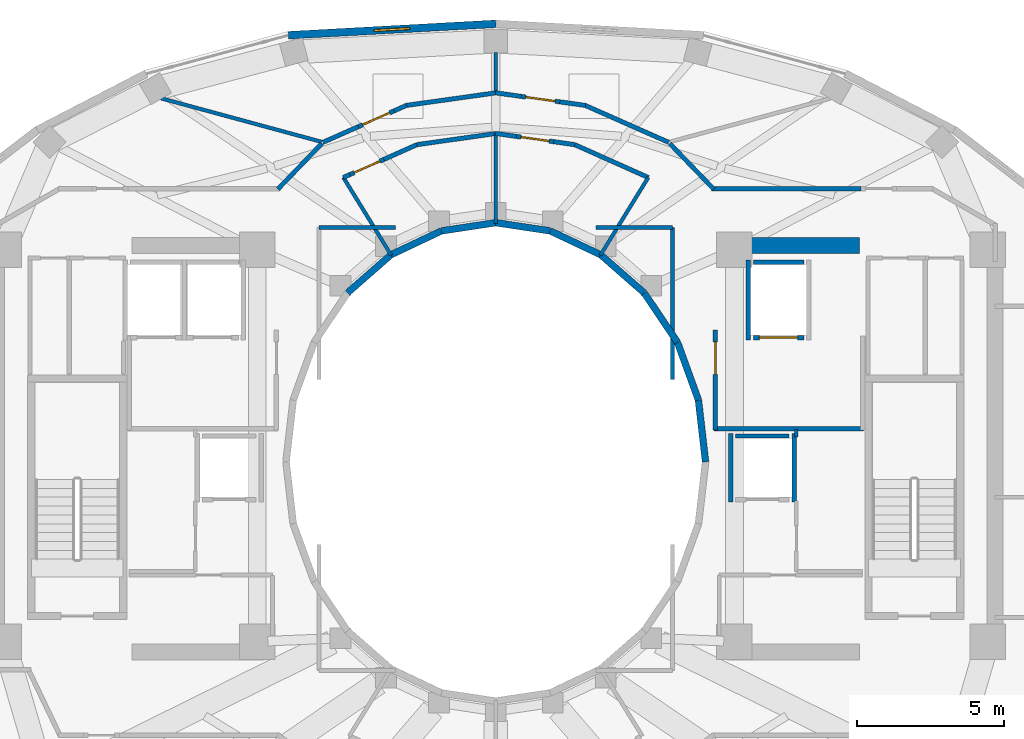
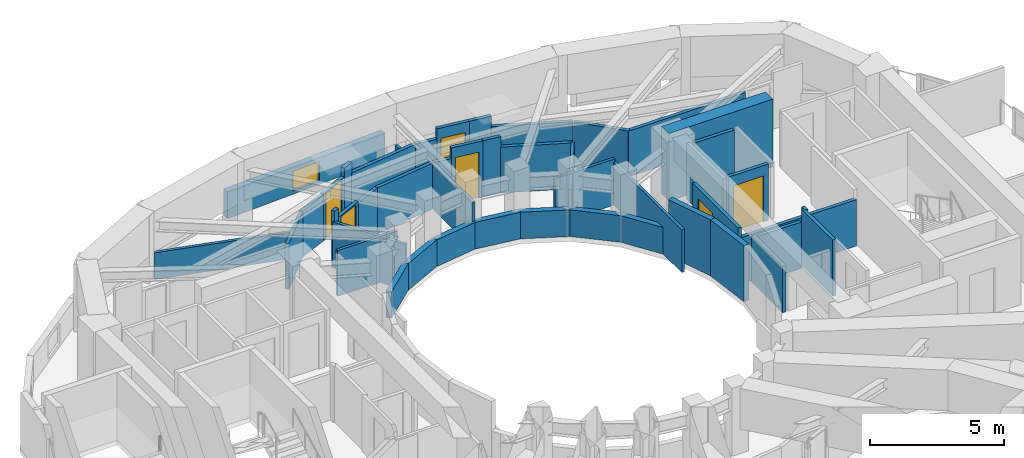
# One storey, part 14 of 19: 47 walls, 6 doors, 1 window, 7 openings.
"""IFC4 building model written with IfcOpenShell, lengths in metres."""

import ifcopenshell
import ifcopenshell.guid

model = None  # the IFC model being written
_history = None  # IfcOwnerHistory: only IFC2X3 demands one
_inside = {}  # id of a spatial element -> (the spatial element, [elements in it])
_under = {}  # id of a project, library or spatial element -> (it, [spatial elements below it])
_declared = {}  # id of a project -> (the project, [libraries it declares])
_typed = {}  # id of a type object -> (the type object, [elements of that type])
_made_of = {}  # id of a material, layer set ... -> (it, [elements and type objects made of it])


def new_model(schema):
    """Start an empty IFC model of exactly this schema.

    Asked for "IFC4X3", IfcOpenShell would pick the latest addendum, in which some entities
    have other attributes; the version numbers below select the first issue.
    IFC2X3 requires an IfcOwnerHistory on every rooted entity: one is made here for all.
    """
    global model, _history
    if schema == "IFC4X3":
        model = ifcopenshell.file(schema_version=(4, 3, 0, 0))
    else:
        model = ifcopenshell.file(schema=schema)
    _inside.clear()
    _under.clear()
    _declared.clear()
    _typed.clear()
    _made_of.clear()
    _history = None
    if model.schema == "IFC2X3":
        org = make("IfcOrganization", Name="unknown")
        user = make(
            "IfcPersonAndOrganization",
            ThePerson=make("IfcPerson", FamilyName="unknown"),
            TheOrganization=org,
        )
        app = make(
            "IfcApplication",
            ApplicationDeveloper=org,
            Version="unknown",
            ApplicationFullName="unknown",
            ApplicationIdentifier="unknown",
        )
        _history = make(
            "IfcOwnerHistory",
            OwningUser=user,
            OwningApplication=app,
            ChangeAction="ADDED",
            CreationDate=0,
        )
    return model


def make(cls, **values):
    """One entity of the class cls with the attributes given. An attribute that is None is left unset."""
    return model.create_entity(
        cls, **{name: value for name, value in values.items() if value is not None}
    )


def rooted(cls, **values):
    """An entity with a GlobalId (a new one), such as an element, a storey or a relation."""
    return make(cls, GlobalId=ifcopenshell.guid.new(), OwnerHistory=_history, **values)


def si_unit(unit_type, name, prefix=None):
    """IfcSIUnit, for example si_unit("LENGTHUNIT", "METRE", prefix="MILLI")."""
    return make("IfcSIUnit", UnitType=unit_type, Prefix=prefix, Name=name)


def assignment(units):
    """IfcUnitAssignment: the units of a project."""
    return None if units is None else make("IfcUnitAssignment", Units=units)


def point(xyz):
    """IfcCartesianPoint."""
    return None if xyz is None else make("IfcCartesianPoint", Coordinates=xyz)


def direction(xyz):
    """IfcDirection."""
    return None if xyz is None else make("IfcDirection", DirectionRatios=xyz)


def frame(location, z_axis=None, x_axis=None):
    """IfcAxis2Placement3D, a coordinate frame: its origin and axes. An axis left out is left unset."""
    return make(
        "IfcAxis2Placement3D",
        Location=point(location),
        Axis=direction(z_axis),
        RefDirection=direction(x_axis),
    )


def frame_2d(location, x_axis=None):
    """IfcAxis2Placement2D, a coordinate frame in the plane: its origin and x axis."""
    return make(
        "IfcAxis2Placement2D", Location=point(location), RefDirection=direction(x_axis)
    )


def origin():
    """The frame at (0, 0, 0) with its axes left unset."""
    return frame((0.0, 0.0, 0.0))


def place(relative_to, where):
    """IfcLocalPlacement: puts the frame where relative to a parent placement (None: the world)."""
    return make(
        "IfcLocalPlacement", PlacementRelTo=relative_to, RelativePlacement=where
    )


def context(
    kind, dimensions, precision=None, world=None, true_north=None, identifier=None
):
    """IfcGeometricRepresentationContext, for example the 3D "Model" context."""
    return make(
        "IfcGeometricRepresentationContext",
        ContextIdentifier=identifier,
        ContextType=kind,
        CoordinateSpaceDimension=dimensions,
        Precision=precision,
        WorldCoordinateSystem=world,
        TrueNorth=true_north,
    )


def subcontext(parent, identifier, kind, view, scale=None):
    """IfcGeometricRepresentationSubContext, for example "Body" below "Model"."""
    return make(
        "IfcGeometricRepresentationSubContext",
        ContextIdentifier=identifier,
        ContextType=kind,
        ParentContext=parent,
        TargetScale=scale,
        TargetView=view,
    )


def project(units=None, contexts=None):
    """IfcProject with its units and contexts."""
    return rooted(
        "IfcProject",
        Name="project",
        RepresentationContexts=contexts,
        UnitsInContext=assignment(units),
    )


def spatial(cls, under=None, at=None, **own):
    """A site, building, storey or space (cls), placed at a placement, below another one or the project."""
    s = rooted(cls, ObjectPlacement=at, **own)
    if under is not None:
        _under.setdefault(under.id(), (under, []))[1].append(s)
    return s


def profile(cls, at=None, kind="AREA", **sizes):
    """A parametric profile (cls). Its sizes go by their IFC names, for example OverallWidth=200.0."""
    return make(cls, ProfileType=kind, Position=at, **sizes)


def rectangle(**sizes):
    """IfcRectangleProfileDef."""
    return profile("IfcRectangleProfileDef", **sizes)


def extrude(swept, where, along, depth):
    """IfcExtrudedAreaSolid: the profile swept, set in the frame where, extruded along a direction by depth."""
    return make(
        "IfcExtrudedAreaSolid",
        SweptArea=swept,
        Position=where,
        ExtrudedDirection=direction(along),
        Depth=depth,
    )


def shape(context_of_items, identifier, shape_type, items):
    """IfcShapeRepresentation: the items that make up one representation, for example the "Body"."""
    return make(
        "IfcShapeRepresentation",
        ContextOfItems=context_of_items,
        RepresentationIdentifier=identifier,
        RepresentationType=shape_type,
        Items=items,
    )


def material(Name=None, Category=None):
    """IfcMaterial."""
    return make("IfcMaterial", Name=Name, Category=Category)


def layer(
    of_material, thickness, ventilated=None, Name=None, Category=None, Priority=None
):
    """IfcMaterialLayer: one layer of a wall or slab, of a material (None: an air gap)."""
    return make(
        "IfcMaterialLayer",
        Material=of_material,
        LayerThickness=thickness,
        IsVentilated=ventilated,
        Name=Name,
        Category=Category,
        Priority=Priority,
    )


def layer_set(layers, Name=None):
    """IfcMaterialLayerSet."""
    return make("IfcMaterialLayerSet", MaterialLayers=layers, LayerSetName=Name)


def made_of(thing, what):
    """Note that an element or type object is made of a material, layer set ...; save() writes the relation."""
    if what is not None:
        _made_of.setdefault(what.id(), (what, []))[1].append(thing)
    return thing


def type_object(cls, material=None, **own):
    """A type object (cls), such as IfcWallType, which elements share."""
    return made_of(rooted(cls, **own), material)


def element(
    cls,
    number,
    at=None,
    inside=None,
    cuts=None,
    type_object=None,
    material=None,
    context=None,
    identifier="Body",
    shape_type=None,
    held_by="IfcProductDefinitionShape",
    body=None,
    shapes=None,
    **own,
):
    """One element of the class cls, such as IfcWall. Its Tag is "e" and its number.

    at: its placement. inside: the storey or other place that contains it. cuts: it is an
    opening in that element (IfcRelVoidsElement). A single representation is given by context,
    identifier, shape_type and body (its items); several are given by shapes. held_by: the class
    of the entity that holds the representations. save() writes the other relations.
    """
    e = rooted(cls, Tag="e%d" % number, ObjectPlacement=at, **own)
    if body is not None:
        shapes = [shape(context, identifier, shape_type, body)]
    if shapes is not None:
        e.Representation = make(held_by, Representations=shapes)
    if inside is not None:
        _inside.setdefault(inside.id(), (inside, []))[1].append(e)
    if cuts is not None:
        rooted(
            "IfcRelVoidsElement", RelatingBuildingElement=cuts, RelatedOpeningElement=e
        )
    if type_object is not None:
        _typed.setdefault(type_object.id(), (type_object, []))[1].append(e)
    return made_of(e, material)


def fill(opening, filler):
    """IfcRelFillsElement: the door or window that sits in an opening."""
    return rooted(
        "IfcRelFillsElement",
        RelatingOpeningElement=opening,
        RelatedBuildingElement=filler,
    )


def aggregate(whole, parts):
    """IfcRelAggregates: a whole, such as a stair, and the parts it consists of."""
    return rooted("IfcRelAggregates", RelatingObject=whole, RelatedObjects=parts)


def save(model, path):
    """Write the relations noted so far, then the file.

    IfcRelAggregates (storeys below a building ...), IfcRelContainedInSpatialStructure (elements
    in a storey), IfcRelDefinesByType, IfcRelAssociatesMaterial and IfcRelDeclares: one each for
    every whole, place, type object, material and project.
    """
    for whole, parts in _under.values():
        aggregate(whole, parts)
    for where, things in _inside.values():
        rooted(
            "IfcRelContainedInSpatialStructure",
            RelatedElements=things,
            RelatingStructure=where,
        )
    for kind, things in _typed.values():
        rooted("IfcRelDefinesByType", RelatedObjects=things, RelatingType=kind)
    for what, things in _made_of.values():
        rooted("IfcRelAssociatesMaterial", RelatedObjects=things, RelatingMaterial=what)
    for by, libraries in _declared.values():
        rooted("IfcRelDeclares", RelatingContext=by, RelatedDefinitions=libraries)
    model.write(path)


model = new_model("IFC4")

# Units and contexts
model_context = context("Model", 3, precision=1e-05, world=origin(), true_north=direction((0.0, 1.0)))
body_context = subcontext(model_context, "Body", "Model", "MODEL_VIEW")
ifc_project = project(units=[si_unit("LENGTHUNIT", "METRE"), si_unit("AREAUNIT", "SQUARE_METRE"), si_unit("VOLUMEUNIT", "CUBIC_METRE"), si_unit("PLANEANGLEUNIT", "RADIAN"), si_unit("MASSUNIT", "GRAM", prefix="KILO")], contexts=[model_context])

# Site, building, storey
site_placement = place(None, origin())
site = spatial("IfcSite", under=ifc_project, at=site_placement, CompositionType="ELEMENT")
building_placement = place(site_placement, origin())
building = spatial("IfcBuilding", under=site, at=building_placement, Name="Solvane Sanctuary Tower", CompositionType="ELEMENT")
storey_placement = place(building_placement, frame((0.0, 0.0, 207.800048828125)))
storey = spatial("IfcBuildingStorey", under=building, at=storey_placement, Name="L63", CompositionType="ELEMENT", Elevation=207.800048828125)

# Walls
ifc_material_1 = material(Name="Concrete C50/60", Category="concrete")
ifc_layer_1 = layer(ifc_material_1, 0.550048828125, Name="Concrete C50/60")
ifc_layer_set_1 = layer_set([ifc_layer_1], Name="Concrete C50/60")
wall_type_1 = type_object("IfcWallType", Name="Wall W-CORE-550", PredefinedType="SHEAR", material=ifc_layer_set_1)
wall_1_placement = place(storey_placement, frame((39.85009765625, 30.35009765625, 0.0), z_axis=(0.0, 0.0, 1.0), x_axis=(1.0, 0.0, 0.0)))
element("IfcWall", 1, at=wall_1_placement, inside=storey, type_object=wall_type_1, Name="L63 Core Shear Wall EC-N", PredefinedType="SHEAR", context=body_context, shape_type="SweptSolid", body=[
    extrude(rectangle(XDim=4.5, YDim=0.550048828125, at=frame_2d((2.25, 0.0))), origin(), (0.0, 0.0, 1.0), 3.099853515625),
])
ifc_material_2 = material(Name="Acoustic Gypsum Partition Board")
ifc_layer_2 = layer(ifc_material_2, 0.14990234375, Name="Acoustic Gypsum Partition Board")
ifc_layer_set_2 = layer_set([ifc_layer_2], Name="Acoustic Gypsum Partition Board")
wall_type_2 = type_object("IfcWallType", Name="Wall W-CORR-150", PredefinedType="PARTITIONING", material=ifc_layer_set_2)
wall_2_placement = place(storey_placement, frame((39.39990234375, 24.1201171875, 0.0), z_axis=(0.0, 0.0, 1.0), x_axis=(1.0, 0.0, 0.0)))
element("IfcWall", 2, at=wall_2_placement, inside=storey, type_object=wall_type_2, Name="L63 East Firefighting Lobby South Wall", PredefinedType="PARTITIONING", context=body_context, shape_type="SweptSolid", body=[
    extrude(rectangle(XDim=5.080078125, YDim=0.14990234375, at=frame_2d((2.5400390625, 0.0))), origin(), (0.0, 0.0, 1.0), 2.119873046875),
])

# Wall, opening, door
wall_3_placement = place(storey_placement, frame((39.449951171875, 24.080078125, 0.0), z_axis=(0.0, 0.0, 1.0), x_axis=(0.0, 1.0, 0.0)))
wall_3 = element("IfcWall", 3, at=wall_3_placement, inside=storey, type_object=wall_type_2, Name="L63 East Firefighting Lobby West Wall", PredefinedType="PARTITIONING", context=body_context, shape_type="SweptSolid", body=[
    extrude(rectangle(XDim=3.39990234375, YDim=0.14990234375, at=frame_2d((1.699951171875, 0.0))), origin(), (0.0, 0.0, 1.0), 2.574951171875),
])
opening_1_placement = place(wall_3_placement, frame((1.893798828125, 0.0, 0.0)))
opening_1 = element("IfcOpeningElement", 4, at=opening_1_placement, cuts=wall_3, Name="Opening D-L63-05", PredefinedType="OPENING", context=body_context, shape_type="SweptSolid", body=[
    extrude(rectangle(XDim=1.10009765625, YDim=2.10009765625, at=frame_2d((0.550048828125, 1.050048828125))), frame((0.0, 0.0849609375, 0.0), z_axis=(0.0, -1.0, 0.0), x_axis=(1.0, 0.0, 0.0)), (0.0, 0.0, 1.0), 0.169921875),
])
ifc_material_3 = material(Name="Architectural Stainless Steel 316", Category="steel")
door_type_1 = type_object("IfcDoorType", Name="Door D-FFL", OperationType="NOTDEFINED", PredefinedType="DOOR", material=ifc_material_3)
door_1_placement = place(opening_1_placement, origin())
door_1 = element("IfcDoor", 5, at=door_1_placement, inside=storey, type_object=door_type_1, Name="L63 East Firefighting Lobby Fire Door", OperationType="SINGLE_SWING_LEFT", OverallHeight=2.10009765625, OverallWidth=1.10009765625, PredefinedType="DOOR", context=body_context, shape_type="SweptSolid", body=[
    extrude(rectangle(XDim=1.10009765625, YDim=2.10009765625, at=frame_2d((0.550048828125, 1.050048828125))), frame((0.0, 0.02490234375, 0.0), z_axis=(0.0, -1.0, 0.0), x_axis=(1.0, 0.0, 0.0)), (0.0, 0.0, 1.0), 0.050048828125),
])
fill(opening_1, door_1)

# Walls
wall_4_placement = place(storey_placement, frame((37.181396484375, 32.65234375, 0.0), z_axis=(0.0, 0.0, 1.0), x_axis=(-0.913120130558, 0.407690602257, 0.0)))
element("IfcWall", 6, at=wall_4_placement, inside=storey, type_object=wall_type_2, Name="L63 Light-Well Alcove Corridor Wall 1", PredefinedType="PARTITIONING", context=body_context, shape_type="SweptSolid", body=[
    extrude(rectangle(XDim=2.74267578125, YDim=0.14990234375, at=frame_2d((1.371337890625, 0.0))), origin(), (0.0, 0.0, 1.0), 2.095947265625),
])
wall_5_placement = place(storey_placement, frame((34.680419921875, 33.76953125, 0.0), z_axis=(0.0, 0.0, 1.0), x_axis=(-0.990111099965, 0.140285458001, 0.0)))
element("IfcWall", 7, at=wall_5_placement, inside=storey, type_object=wall_type_2, Name="L63 Light-Well Alcove Corridor Wall 1", PredefinedType="PARTITIONING", context=body_context, shape_type="SweptSolid", body=[
    extrude(rectangle(XDim=0.72216796875, YDim=0.14990234375, at=frame_2d((0.361083984375, 0.0))), origin(), (0.0, 0.0, 1.0), 2.574951171875),
])

# Wall, opening, door
wall_6_placement = place(storey_placement, frame((33.96533203125, 33.870849609375, 0.0), z_axis=(0.0, 0.0, 1.0), x_axis=(-0.990129408, 0.14015618222, 0.0)))
wall_6 = element("IfcWall", 8, at=wall_6_placement, inside=storey, type_object=wall_type_2, Name="L63 Light-Well Alcove Corridor Wall 1", PredefinedType="PARTITIONING", context=body_context, shape_type="SweptSolid", body=[
    extrude(rectangle(XDim=1.269775390625, YDim=0.14990234375, at=frame_2d((0.634765625, 0.0))), origin(), (0.0, 0.0, 1.0), 2.574951171875),
])
opening_2_placement = place(wall_6_placement, frame((0.159912109375, 0.0, 0.0)))
opening_2 = element("IfcOpeningElement", 9, at=opening_2_placement, cuts=wall_6, Name="Opening D-L63-14", PredefinedType="OPENING", context=body_context, shape_type="SweptSolid", body=[
    extrude(rectangle(XDim=0.949951171875, YDim=2.10009765625, at=frame_2d((0.47509765625, 1.050048828125))), frame((0.0, 0.0849609375, 0.0), z_axis=(0.0, -1.0, 0.0), x_axis=(1.0, 0.0, 0.0)), (0.0, 0.0, 1.0), 0.169921875),
])
ifc_material_4 = material(Name="Engineered Tropical Hardwood", Category="wood")
door_type_2 = type_object("IfcDoorType", Name="Door D-ROOM-950", OperationType="NOTDEFINED", PredefinedType="DOOR", material=ifc_material_4)
door_2_placement = place(opening_2_placement, origin())
door_2 = element("IfcDoor", 10, at=door_2_placement, inside=storey, type_object=door_type_2, Name="L63 Light-Well Alcove Door 1", OperationType="SINGLE_SWING_RIGHT", OverallHeight=2.10009765625, OverallWidth=0.949951171875, PredefinedType="DOOR", context=body_context, shape_type="SweptSolid", body=[
    extrude(rectangle(XDim=0.949951171875, YDim=2.10009765625, at=frame_2d((0.47509765625, 1.050048828125))), frame((0.0, 0.02490234375, 0.0), z_axis=(0.0, -1.0, 0.0), x_axis=(1.0, 0.0, 0.0)), (0.0, 0.0, 1.0), 0.050048828125),
])
fill(opening_2, door_2)

# Walls
wall_7_placement = place(storey_placement, frame((32.7080078125, 34.048828125, 0.0), z_axis=(0.0, 0.0, 1.0), x_axis=(-0.990157999489, 0.139954049774, 0.0)))
element("IfcWall", 11, at=wall_7_placement, inside=storey, type_object=wall_type_2, Name="L63 Light-Well Alcove Corridor Wall 1", PredefinedType="PARTITIONING", context=body_context, shape_type="SweptSolid", body=[
    extrude(rectangle(XDim=0.72216796875, YDim=0.14990234375, at=frame_2d((0.361083984375, 0.0))), origin(), (0.0, 0.0, 1.0), 2.095947265625),
])
wall_8_placement = place(storey_placement, frame((32.007080078125, 34.14990234375, 0.0), z_axis=(0.0, 0.0, 1.0), x_axis=(-0.990132151456, -0.140136799779, 0.0)))
element("IfcWall", 12, at=wall_8_placement, inside=storey, type_object=wall_type_2, Name="L63 Light-Well Alcove Corridor Wall 2", PredefinedType="PARTITIONING", context=body_context, shape_type="SweptSolid", body=[
    extrude(rectangle(XDim=2.71435546875, YDim=0.14990234375, at=frame_2d((1.357177734375, 0.0))), origin(), (0.0, 0.0, 1.0), 2.095947265625),
])
wall_9_placement = place(storey_placement, frame((29.322998046875, 33.7705078125, 0.0), z_axis=(0.0, 0.0, 1.0), x_axis=(-0.913103438245, -0.40772798661, 0.0)))
element("IfcWall", 13, at=wall_9_placement, inside=storey, type_object=wall_type_2, Name="L63 Light-Well Alcove Corridor Wall 2", PredefinedType="PARTITIONING", context=body_context, shape_type="SweptSolid", body=[
    extrude(rectangle(XDim=1.22509765625, YDim=0.14990234375, at=frame_2d((0.612548828125, 0.0))), origin(), (0.0, 0.0, 1.0), 2.095947265625),
])

# Wall, opening, door
wall_10_placement = place(storey_placement, frame((28.204345703125, 33.27099609375, 0.0), z_axis=(0.0, 0.0, 1.0), x_axis=(-0.913104656548, -0.407725258219, 0.0)))
wall_10 = element("IfcWall", 14, at=wall_10_placement, inside=storey, type_object=wall_type_2, Name="L63 Light-Well Alcove Corridor Wall 2", PredefinedType="PARTITIONING", context=body_context, shape_type="SweptSolid", body=[
    extrude(rectangle(XDim=1.27001953125, YDim=0.14990234375, at=frame_2d((0.635009765625, 0.0))), origin(), (0.0, 0.0, 1.0), 2.159912109375),
])
opening_3_placement = place(wall_10_placement, frame((0.159912109375, 0.0, 0.0)))
opening_3 = element("IfcOpeningElement", 15, at=opening_3_placement, cuts=wall_10, Name="Opening D-L63-15", PredefinedType="OPENING", context=body_context, shape_type="SweptSolid", body=[
    extrude(rectangle(XDim=0.949951171875, YDim=2.10009765625, at=frame_2d((0.47509765625, 1.050048828125))), frame((0.0, 0.0849609375, 0.0), z_axis=(0.0, -1.0, 0.0), x_axis=(1.0, 0.0, 0.0)), (0.0, 0.0, 1.0), 0.169921875),
])
door_3_placement = place(opening_3_placement, origin())
door_3 = element("IfcDoor", 16, at=door_3_placement, inside=storey, type_object=door_type_2, Name="L63 Light-Well Alcove Door 2", OperationType="SINGLE_SWING_LEFT", OverallHeight=2.10009765625, OverallWidth=0.949951171875, PredefinedType="DOOR", context=body_context, shape_type="SweptSolid", body=[
    extrude(rectangle(XDim=0.949951171875, YDim=2.10009765625, at=frame_2d((0.47509765625, 1.050048828125))), frame((0.0, 0.02490234375, 0.0), z_axis=(0.0, -1.0, 0.0), x_axis=(1.0, 0.0, 0.0)), (0.0, 0.0, 1.0), 0.050048828125),
])
fill(opening_3, door_3)

# Walls
wall_11_placement = place(storey_placement, frame((27.044677734375, 32.753173828125, 0.0), z_axis=(0.0, 0.0, 1.0), x_axis=(-0.913282054518, -0.407327741378, 0.0)))
element("IfcWall", 17, at=wall_11_placement, inside=storey, type_object=wall_type_2, Name="L63 Light-Well Alcove Corridor Wall 2", PredefinedType="PARTITIONING", context=body_context, shape_type="SweptSolid", body=[
    extrude(rectangle(XDim=0.24755859375, YDim=0.14990234375, at=frame_2d((0.123779296875, 0.0))), origin(), (0.0, 0.0, 1.0), 2.574951171875),
])
wall_12_placement = place(storey_placement, frame((37.9033203125, 33.811767578125, 0.0), z_axis=(0.0, 0.0, 1.0), x_axis=(0.694032962553, -0.719943224768, 0.0)))
element("IfcWall", 18, at=wall_12_placement, inside=storey, type_object=wall_type_2, Name="L63 NE Corner Throat Wall", PredefinedType="PARTITIONING", context=body_context, shape_type="SweptSolid", body=[
    extrude(rectangle(XDim=2.15771484375, YDim=0.14990234375, at=frame_2d((1.078857421875, 0.0))), origin(), (0.0, 0.0, 1.0), 2.095947265625),
])
wall_13_placement = place(storey_placement, frame((39.330078125, 32.280029296875, 0.0), z_axis=(0.0, 0.0, 1.0), x_axis=(1.0, 0.0, 0.0)))
element("IfcWall", 19, at=wall_13_placement, inside=storey, type_object=wall_type_2, Name="L63 NE Corner Corridor Wall", PredefinedType="PARTITIONING", context=body_context, shape_type="SweptSolid", body=[
    extrude(rectangle(XDim=5.059814453125, YDim=0.14990234375, at=frame_2d((2.52978515625, 0.0))), origin(), (0.0, 0.0, 1.0), 2.095947265625),
])
wall_14_placement = place(storey_placement, frame((26.0966796875, 33.811767578125, 0.0), z_axis=(0.0, 0.0, 1.0), x_axis=(-0.694032962553, -0.719943224768, 0.0)))
element("IfcWall", 20, at=wall_14_placement, inside=storey, type_object=wall_type_2, Name="L63 NW Corner Throat Wall", PredefinedType="PARTITIONING", context=body_context, shape_type="SweptSolid", body=[
    extrude(rectangle(XDim=2.15771484375, YDim=0.14990234375, at=frame_2d((1.078857421875, 0.0))), origin(), (0.0, 0.0, 1.0), 2.095947265625),
])
wall_15_placement = place(storey_placement, frame((37.8720703125, 33.846923828125, 0.0), z_axis=(0.0, 0.0, 1.0), x_axis=(-0.914490094652, 0.40460828808, 0.0)))
element("IfcWall", 21, at=wall_15_placement, inside=storey, type_object=wall_type_2, Name="L63 Unit Corridor Wall N1", PredefinedType="PARTITIONING", context=body_context, shape_type="SweptSolid", body=[
    extrude(rectangle(XDim=3.10986328125, YDim=0.14990234375, at=frame_2d((1.554931640625, 0.0))), origin(), (0.0, 0.0, 1.0), 2.095947265625),
])
wall_16_placement = place(storey_placement, frame((35.0439453125, 35.100830078125, 0.0), z_axis=(0.0, 0.0, 1.0), x_axis=(-0.990279252054, 0.139093504346, 0.0)))
element("IfcWall", 22, at=wall_16_placement, inside=storey, type_object=wall_type_2, Name="L63 Unit Corridor Wall N1", PredefinedType="PARTITIONING", context=body_context, shape_type="SweptSolid", body=[
    extrude(rectangle(XDim=0.881103515625, YDim=0.14990234375, at=frame_2d((0.4404296875, 0.0))), origin(), (0.0, 0.0, 1.0), 2.574951171875),
])

# Wall, opening, door
wall_17_placement = place(storey_placement, frame((34.17138671875, 35.223388671875, 0.0), z_axis=(0.0, 0.0, 1.0), x_axis=(-0.990254187593, 0.139271834751, 0.0)))
wall_17 = element("IfcWall", 23, at=wall_17_placement, inside=storey, type_object=wall_type_2, Name="L63 Unit Corridor Wall N1", PredefinedType="PARTITIONING", context=body_context, shape_type="SweptSolid", body=[
    extrude(rectangle(XDim=1.320068359375, YDim=0.14990234375, at=frame_2d((0.66015625, 0.0))), origin(), (0.0, 0.0, 1.0), 2.574951171875),
])
opening_4_placement = place(wall_17_placement, frame((0.159912109375, 0.0, 0.0)))
opening_4 = element("IfcOpeningElement", 24, at=opening_4_placement, cuts=wall_17, Name="Opening D-L63-24", PredefinedType="OPENING", context=body_context, shape_type="SweptSolid", body=[
    extrude(rectangle(XDim=1.0, YDim=2.10009765625, at=frame_2d((0.5, 1.050048828125))), frame((0.0, 0.0849609375, 0.0), z_axis=(0.0, -1.0, 0.0), x_axis=(1.0, 0.0, 0.0)), (0.0, 0.0, 1.0), 0.169921875),
])
door_type_3 = type_object("IfcDoorType", Name="Door D-UNIT", OperationType="NOTDEFINED", PredefinedType="DOOR", material=ifc_material_4)
door_4_placement = place(opening_4_placement, origin())
door_4 = element("IfcDoor", 25, at=door_4_placement, inside=storey, type_object=door_type_3, Name="L63 Unit Entrance Door N1", OperationType="SINGLE_SWING_RIGHT", OverallHeight=2.10009765625, OverallWidth=1.0, PredefinedType="DOOR", context=body_context, shape_type="SweptSolid", body=[
    extrude(rectangle(XDim=1.0, YDim=2.10009765625, at=frame_2d((0.5, 1.050048828125))), frame((0.0, 0.02490234375, 0.0), z_axis=(0.0, -1.0, 0.0), x_axis=(1.0, 0.0, 0.0)), (0.0, 0.0, 1.0), 0.050048828125),
])
fill(opening_4, door_4)

# Walls
wall_18_placement = place(storey_placement, frame((32.8642578125, 35.4072265625, 0.0), z_axis=(0.0, 0.0, 1.0), x_axis=(-0.990241051041, 0.13936520668, 0.0)))
element("IfcWall", 26, at=wall_18_placement, inside=storey, type_object=wall_type_2, Name="L63 Unit Corridor Wall N1", PredefinedType="PARTITIONING", context=body_context, shape_type="SweptSolid", body=[
    extrude(rectangle(XDim=0.881103515625, YDim=0.14990234375, at=frame_2d((0.4404296875, 0.0))), origin(), (0.0, 0.0, 1.0), 2.095947265625),
])
wall_19_placement = place(storey_placement, frame((32.00830078125, 35.530029296875, 0.0), z_axis=(0.0, 0.0, 1.0), x_axis=(-0.990257602807, -0.139247549651, 0.0)))
element("IfcWall", 27, at=wall_19_placement, inside=storey, type_object=wall_type_2, Name="L63 Unit Corridor Wall N2", PredefinedType="PARTITIONING", context=body_context, shape_type="SweptSolid", body=[
    extrude(rectangle(XDim=3.082275390625, YDim=0.14990234375, at=frame_2d((1.541015625, 0.0))), origin(), (0.0, 0.0, 1.0), 2.095947265625),
])
wall_20_placement = place(storey_placement, frame((28.971923828125, 35.105224609375, 0.0), z_axis=(0.0, 0.0, 1.0), x_axis=(-0.914431812955, -0.404739989939, 0.0)))
element("IfcWall", 28, at=wall_20_placement, inside=storey, type_object=wall_type_2, Name="L63 Unit Corridor Wall N2", PredefinedType="PARTITIONING", context=body_context, shape_type="SweptSolid", body=[
    extrude(rectangle(XDim=0.469970703125, YDim=0.14990234375, at=frame_2d((0.23486328125, 0.0))), origin(), (0.0, 0.0, 1.0), 2.574951171875),
])

# Wall, opening, door
wall_21_placement = place(storey_placement, frame((28.542236328125, 34.9150390625, 0.0), z_axis=(0.0, 0.0, 1.0), x_axis=(-0.914519545761, -0.404541716541, 0.0)))
wall_21 = element("IfcWall", 29, at=wall_21_placement, inside=storey, type_object=wall_type_2, Name="L63 Unit Corridor Wall N2", PredefinedType="PARTITIONING", context=body_context, shape_type="SweptSolid", body=[
    extrude(rectangle(XDim=1.31982421875, YDim=0.14990234375, at=frame_2d((0.659912109375, 0.0))), origin(), (0.0, 0.0, 1.0), 2.159912109375),
])
opening_5_placement = place(wall_21_placement, frame((0.159912109375, 0.0, 0.0)))
opening_5 = element("IfcOpeningElement", 30, at=opening_5_placement, cuts=wall_21, Name="Opening D-L63-25", PredefinedType="OPENING", context=body_context, shape_type="SweptSolid", body=[
    extrude(rectangle(XDim=1.0, YDim=2.10009765625, at=frame_2d((0.5, 1.050048828125))), frame((0.0, 0.0849609375, 0.0), z_axis=(0.0, -1.0, 0.0), x_axis=(1.0, 0.0, 0.0)), (0.0, 0.0, 1.0), 0.169921875),
])
door_5_placement = place(opening_5_placement, origin())
door_5 = element("IfcDoor", 31, at=door_5_placement, inside=storey, type_object=door_type_3, Name="L63 Unit Entrance Door N2", OperationType="SINGLE_SWING_LEFT", OverallHeight=2.10009765625, OverallWidth=1.0, PredefinedType="DOOR", context=body_context, shape_type="SweptSolid", body=[
    extrude(rectangle(XDim=1.0, YDim=2.10009765625, at=frame_2d((0.5, 1.050048828125))), frame((0.0, 0.02490234375, 0.0), z_axis=(0.0, -1.0, 0.0), x_axis=(1.0, 0.0, 0.0)), (0.0, 0.0, 1.0), 0.050048828125),
])
fill(opening_5, door_5)

# Wall
wall_22_placement = place(storey_placement, frame((27.335205078125, 34.381103515625, 0.0), z_axis=(0.0, 0.0, 1.0), x_axis=(-0.914481389177, -0.404627963503, 0.0)))
element("IfcWall", 32, at=wall_22_placement, inside=storey, type_object=wall_type_2, Name="L63 Unit Corridor Wall N2", PredefinedType="PARTITIONING", context=body_context, shape_type="SweptSolid", body=[
    extrude(rectangle(XDim=1.320068359375, YDim=0.14990234375, at=frame_2d((0.66015625, 0.0))), origin(), (0.0, 0.0, 1.0), 2.095947265625),
])

# Wall, opening, window
ifc_material_5 = material(Name="Precast concrete C40/50", Category="concrete")
ifc_layer_3 = layer(ifc_material_5, 0.260009765625, Name="Precast concrete C40/50")
ifc_layer_set_3 = layer_set([ifc_layer_3], Name="Precast concrete C40/50")
wall_type_3 = type_object("IfcWallType", Name="Wall W-EXT-250", PredefinedType="STANDARD", material=ifc_layer_set_3)
wall_23_placement = place(storey_placement, frame((32.0, 37.8720703125, 0.0), z_axis=(0.0, 0.0, 1.0), x_axis=(-0.998490239527, -0.054929423535, 0.0)))
wall_23 = element("IfcWall", 33, at=wall_23_placement, inside=storey, type_object=wall_type_3, Name="L63 Ceramic-Printed Facade Wall 06", PredefinedType="STANDARD", context=body_context, shape_type="SweptSolid", body=[
    extrude(rectangle(XDim=7.0537109375, YDim=0.260009765625, at=frame_2d((3.52685546875, 0.0))), origin(), (0.0, 0.0, 1.0), 1.219970703125),
])
opening_6_placement = place(wall_23_placement, frame((2.9267578125, 0.0, 0.14990234375)))
opening_6 = element("IfcOpeningElement", 34, at=opening_6_placement, cuts=wall_23, Name="Opening WN-OPER-1200", PredefinedType="OPENING", context=body_context, shape_type="SweptSolid", body=[
    extrude(rectangle(XDim=1.199951171875, YDim=0.89990234375, at=frame_2d((0.60009765625, 0.449951171875))), frame((0.0, 0.139892578125, 0.0), z_axis=(0.0, -1.0, 0.0), x_axis=(1.0, 0.0, 0.0)), (0.0, 0.0, 1.0), 0.280029296875),
])
ifc_material_6 = material(Name="Dark Ceramic-Fritted Low-E Glass", Category="glass")
window_type = type_object("IfcWindowType", Name="Window WN-OPER-1200", PartitioningType="SINGLE_PANEL", PredefinedType="WINDOW", material=ifc_material_6)
window_placement = place(opening_6_placement, origin())
window = element("IfcWindow", 35, at=window_placement, inside=storey, type_object=window_type, Name="L63 Operable Facade Window 06", OverallHeight=0.89990234375, OverallWidth=1.199951171875, PartitioningType="SINGLE_PANEL", PredefinedType="WINDOW", context=body_context, shape_type="SweptSolid", body=[
    extrude(rectangle(XDim=1.199951171875, YDim=0.89990234375, at=frame_2d((0.60009765625, 0.449951171875))), frame((0.0, 0.030029296875, 0.0), z_axis=(0.0, -1.0, 0.0), x_axis=(1.0, 0.0, 0.0)), (0.0, 0.0, 1.0), 0.06005859375),
])
fill(opening_6, window)

# Walls
ifc_layer_4 = layer(ifc_material_5, 0.22998046875, Name="Precast concrete C40/50")
ifc_layer_set_4 = layer_set([ifc_layer_4], Name="Precast concrete C40/50")
wall_type_4 = type_object("IfcWallType", Name="Wall W-EXT-SP220", PredefinedType="STANDARD", material=ifc_layer_set_4)
wall_24_placement = place(storey_placement, frame((39.1201171875, 23.0, 0.0), z_axis=(0.0, 0.0, 1.0), x_axis=(-0.114711713601, 0.993398823617, 0.0)))
element("IfcWall", 36, at=wall_24_placement, inside=storey, type_object=wall_type_4, Name="L63 Central Light-Well Wall 00", PredefinedType="STANDARD", context=body_context, shape_type="SweptSolid", body=[
    extrude(rectangle(XDim=2.115478515625, YDim=0.22998046875, at=frame_2d((1.0576171875, 0.0))), origin(), (0.0, 0.0, 1.0), 2.56005859375),
])
wall_25_placement = place(storey_placement, frame((38.87744140625, 25.1015625, 0.0), z_axis=(0.0, 0.0, 1.0), x_axis=(-0.341423187295, 0.93990968033, 0.0)))
element("IfcWall", 37, at=wall_25_placement, inside=storey, type_object=wall_type_4, Name="L63 Central Light-Well Wall 01", PredefinedType="STANDARD", context=body_context, shape_type="SweptSolid", body=[
    extrude(rectangle(XDim=2.083740234375, YDim=0.22998046875, at=frame_2d((1.0419921875, 0.0))), origin(), (0.0, 0.0, 1.0), 2.56005859375),
])
wall_26_placement = place(storey_placement, frame((38.166015625, 27.06005859375, 0.0), z_axis=(0.0, 0.0, 1.0), x_axis=(-0.558197800898, 0.829707909492, 0.0)))
element("IfcWall", 38, at=wall_26_placement, inside=storey, type_object=wall_type_4, Name="L63 Central Light-Well Wall 02", PredefinedType="STANDARD", context=body_context, shape_type="SweptSolid", body=[
    extrude(rectangle(XDim=2.02685546875, YDim=0.22998046875, at=frame_2d((1.013427734375, 0.0))), origin(), (0.0, 0.0, 1.0), 1.219970703125),
])
wall_27_placement = place(storey_placement, frame((37.03466796875, 28.74169921875, 0.0), z_axis=(0.0, 0.0, 1.0), x_axis=(-0.752576694707, 0.658504607869, 0.0)))
element("IfcWall", 39, at=wall_27_placement, inside=storey, type_object=wall_type_4, Name="L63 Central Light-Well Wall 03", PredefinedType="STANDARD", context=body_context, shape_type="SweptSolid", body=[
    extrude(rectangle(XDim=1.95947265625, YDim=0.22998046875, at=frame_2d((0.979736328125, 0.0))), origin(), (0.0, 0.0, 1.0), 1.219970703125),
])
wall_28_placement = place(storey_placement, frame((35.56005859375, 30.031982421875, 0.0), z_axis=(0.0, 0.0, 1.0), x_axis=(-0.904179699603, 0.427152280606, 0.0)))
element("IfcWall", 40, at=wall_28_placement, inside=storey, type_object=wall_type_4, Name="L63 Central Light-Well Wall 04", PredefinedType="STANDARD", context=body_context, shape_type="SweptSolid", body=[
    extrude(rectangle(XDim=1.899169921875, YDim=0.22998046875, at=frame_2d((0.94970703125, 0.0))), origin(), (0.0, 0.0, 1.0), 1.219970703125),
])
for number, where, z_axis, x_axis, name in (
    (41, (33.8427734375, 30.84326171875, 0.0), (0.0, 0.0, 1.0), (-0.988901730308, 0.148571086668, 0.0), "L63 Central Light-Well Wall 05"),
    (42, (32.0, 31.1201171875, 0.0), (0.0, 0.0, 1.0), (-0.988901730308, -0.148571086668, 0.0), "L63 Central Light-Well Wall 06"),
):
    element("IfcWall", number, at=place(storey_placement, frame(where, z_axis=z_axis, x_axis=x_axis)), inside=storey, type_object=wall_type_4, Name=name, PredefinedType="STANDARD", context=body_context, shape_type="SweptSolid", body=[
        extrude(rectangle(XDim=1.863525390625, YDim=0.22998046875, at=frame_2d((0.931640625, 0.0))), origin(), (0.0, 0.0, 1.0), 1.219970703125),
    ])
wall_29_placement = place(storey_placement, frame((30.1572265625, 30.84326171875, 0.0), z_axis=(0.0, 0.0, 1.0), x_axis=(-0.904179699603, -0.427152280606, 0.0)))
element("IfcWall", 43, at=wall_29_placement, inside=storey, type_object=wall_type_4, Name="L63 Central Light-Well Wall 07", PredefinedType="STANDARD", context=body_context, shape_type="SweptSolid", body=[
    extrude(rectangle(XDim=1.899169921875, YDim=0.22998046875, at=frame_2d((0.94970703125, 0.0))), origin(), (0.0, 0.0, 1.0), 1.219970703125),
])
wall_30_placement = place(storey_placement, frame((28.43994140625, 30.031982421875, 0.0), z_axis=(0.0, 0.0, 1.0), x_axis=(-0.752576694707, -0.658504607869, 0.0)))
element("IfcWall", 44, at=wall_30_placement, inside=storey, type_object=wall_type_4, Name="L63 Central Light-Well Wall 08", PredefinedType="STANDARD", context=body_context, shape_type="SweptSolid", body=[
    extrude(rectangle(XDim=1.95947265625, YDim=0.22998046875, at=frame_2d((0.979736328125, 0.0))), origin(), (0.0, 0.0, 1.0), 1.219970703125),
])
ifc_layer_5 = layer(ifc_material_2, 0.125, Name="Acoustic Gypsum Partition Board")
ifc_layer_set_5 = layer_set([ifc_layer_5], Name="Acoustic Gypsum Partition Board")
wall_type_5 = type_object("IfcWallType", Name="Wall W-PART-125", PredefinedType="PARTITIONING", material=ifc_layer_set_5)
wall_31_placement = place(storey_placement, frame((42.199951171875, 23.85009765625, 0.0), z_axis=(0.0, 0.0, 1.0), x_axis=(0.0, 1.0, 0.0)))
element("IfcWall", 45, at=wall_31_placement, inside=storey, type_object=wall_type_5, Name="L63 Reclaimed Room Dividing Wall PME", PredefinedType="PARTITIONING", context=body_context, shape_type="SweptSolid", body=[
    extrude(rectangle(XDim=0.25, YDim=0.125, at=frame_2d((0.125, 0.0))), origin(), (0.0, 0.0, 1.0), 2.574951171875),
])
wall_32_placement = place(storey_placement, frame((35.550048828125, 30.014892578125, 0.0), z_axis=(0.0, 0.0, 1.0), x_axis=(0.523992004803, 0.851723182086, 0.0)))
element("IfcWall", 46, at=wall_32_placement, inside=storey, type_object=wall_type_5, Name="L63 Light-Well Alcove Radial Wall 60", PredefinedType="PARTITIONING", context=body_context, shape_type="SweptSolid", body=[
    extrude(rectangle(XDim=3.10107421875, YDim=0.125, at=frame_2d((1.550537109375, 0.0))), origin(), (0.0, 0.0, 1.0), 2.095947265625),
])
wall_33_placement = place(storey_placement, frame((32.0, 31.10009765625, 0.0), z_axis=(0.0, 0.0, 1.0), x_axis=(0.0, 1.0, 0.0)))
element("IfcWall", 47, at=wall_33_placement, inside=storey, type_object=wall_type_5, Name="L63 Light-Well Alcove Radial Wall 90", PredefinedType="PARTITIONING", context=body_context, shape_type="SweptSolid", body=[
    extrude(rectangle(XDim=3.0498046875, YDim=0.125, at=frame_2d((1.52490234375, 0.0))), origin(), (0.0, 0.0, 1.0), 2.095947265625),
])
wall_34_placement = place(storey_placement, frame((28.449951171875, 30.014892578125, 0.0), z_axis=(0.0, 0.0, 1.0), x_axis=(-0.523992004803, 0.851723182086, 0.0)))
element("IfcWall", 48, at=wall_34_placement, inside=storey, type_object=wall_type_5, Name="L63 Light-Well Alcove Radial Wall 120", PredefinedType="PARTITIONING", context=body_context, shape_type="SweptSolid", body=[
    extrude(rectangle(XDim=3.10107421875, YDim=0.125, at=frame_2d((1.550537109375, 0.0))), origin(), (0.0, 0.0, 1.0), 2.095947265625),
])
wall_35_placement = place(storey_placement, frame((26.0, 30.9599609375, 0.0), z_axis=(0.0, 0.0, 1.0), x_axis=(1.0, 0.0, 0.0)))
element("IfcWall", 49, at=wall_35_placement, inside=storey, type_object=wall_type_5, Name="L63 Bridge Alcove Wall 2", PredefinedType="PARTITIONING", context=body_context, shape_type="SweptSolid", body=[
    extrude(rectangle(XDim=2.60009765625, YDim=0.125, at=frame_2d((1.300048828125, 0.0))), origin(), (0.0, 0.0, 1.0), 2.095947265625),
])
wall_36_placement = place(storey_placement, frame((38.0, 25.800048828125, 0.0), z_axis=(0.0, 0.0, 1.0), x_axis=(0.0, 1.0, 0.0)))
element("IfcWall", 50, at=wall_36_placement, inside=storey, type_object=wall_type_5, Name="L63 Bridge Alcove Wall 3", PredefinedType="PARTITIONING", context=body_context, shape_type="SweptSolid", body=[
    extrude(rectangle(XDim=5.159912109375, YDim=0.125, at=frame_2d((2.580078125, 0.0))), origin(), (0.0, 0.0, 1.0), 1.951904296875),
])
wall_37_placement = place(storey_placement, frame((35.39990234375, 30.9599609375, 0.0), z_axis=(0.0, 0.0, 1.0), x_axis=(1.0, 0.0, 0.0)))
element("IfcWall", 51, at=wall_37_placement, inside=storey, type_object=wall_type_5, Name="L63 Bridge Alcove Wall 4", PredefinedType="PARTITIONING", context=body_context, shape_type="SweptSolid", body=[
    extrude(rectangle(XDim=2.60009765625, YDim=0.125, at=frame_2d((1.300048828125, 0.0))), origin(), (0.0, 0.0, 1.0), 2.095947265625),
])
wall_38_placement = place(storey_placement, frame((32.0, 35.5849609375, 0.0), z_axis=(0.0, 0.0, 1.0), x_axis=(0.0, 1.0, 0.0)))
element("IfcWall", 52, at=wall_38_placement, inside=storey, type_object=wall_type_5, Name="L63 Radial Compartment Wall 090", PredefinedType="PARTITIONING", context=body_context, shape_type="SweptSolid", body=[
    extrude(rectangle(XDim=1.31494140625, YDim=0.125, at=frame_2d((0.657470703125, 0.0))), origin(), (0.0, 0.0, 1.0), 1.219970703125),
])
wall_39_placement = place(storey_placement, frame((26.081787109375, 33.86572265625, 0.0), z_axis=(0.0, 0.0, 1.0), x_axis=(-0.965109390289, 0.261847025523, 0.0)))
element("IfcWall", 53, at=wall_39_placement, inside=storey, type_object=wall_type_5, Name="L63 Radial Compartment Wall 120", PredefinedType="PARTITIONING", context=body_context, shape_type="SweptSolid", body=[
    extrude(rectangle(XDim=5.643798828125, YDim=0.125, at=frame_2d((2.82177734375, 0.0))), origin(), (0.0, 0.0, 1.0), 1.219970703125),
])
ifc_layer_6 = layer(ifc_material_1, 0.14990234375, Name="Concrete C50/60")
ifc_layer_set_6 = layer_set([ifc_layer_6], Name="Concrete C50/60")
wall_type_6 = type_object("IfcWallType", Name="Wall W-SHAFT-150", PredefinedType="SOLIDWALL", material=ifc_layer_set_6)
wall_40_placement = place(storey_placement, frame((40.139892578125, 23.8798828125, 0.0), z_axis=(0.0, 0.0, 1.0), x_axis=(1.0, 0.0, 0.0)))
element("IfcWall", 54, at=wall_40_placement, inside=storey, type_object=wall_type_6, Name="L63 PH-2 Lift Shaft Wall B", PredefinedType="SOLIDWALL", context=body_context, shape_type="SweptSolid", body=[
    extrude(rectangle(XDim=1.820068359375, YDim=0.14990234375, at=frame_2d((0.91015625, 0.0))), origin(), (0.0, 0.0, 1.0), 2.119873046875),
])
wall_41_placement = place(storey_placement, frame((39.969970703125, 21.639892578125, 0.0), z_axis=(0.0, 0.0, 1.0), x_axis=(0.0, 1.0, 0.0)))
element("IfcWall", 55, at=wall_41_placement, inside=storey, type_object=wall_type_6, Name="L63 PH-2 Lift Shaft Wall S1", PredefinedType="SOLIDWALL", context=body_context, shape_type="SweptSolid", body=[
    extrude(rectangle(XDim=2.320068359375, YDim=0.14990234375, at=frame_2d((1.16015625, 0.0))), origin(), (0.0, 0.0, 1.0), 2.119873046875),
])
wall_42_placement = place(storey_placement, frame((42.1298828125, 21.639892578125, 0.0), z_axis=(0.0, 0.0, 1.0), x_axis=(0.0, 1.0, 0.0)))
element("IfcWall", 56, at=wall_42_placement, inside=storey, type_object=wall_type_6, Name="L63 PH-2 Lift Shaft Wall S2", PredefinedType="SOLIDWALL", context=body_context, shape_type="SweptSolid", body=[
    extrude(rectangle(XDim=2.320068359375, YDim=0.14990234375, at=frame_2d((1.16015625, 0.0))), origin(), (0.0, 0.0, 1.0), 2.574951171875),
])

# Wall, opening, door
wall_43_placement = place(storey_placement, frame((40.739990234375, 27.219970703125, 0.0), z_axis=(0.0, 0.0, 1.0), x_axis=(1.0, 0.0, 0.0)))
wall_43 = element("IfcWall", 57, at=wall_43_placement, inside=storey, type_object=wall_type_6, Name="L63 FFL-2 Lift Shaft Wall F", PredefinedType="SOLIDWALL", context=body_context, shape_type="SweptSolid", body=[
    extrude(rectangle(XDim=1.719970703125, YDim=0.14990234375, at=frame_2d((0.85986328125, 0.0))), origin(), (0.0, 0.0, 1.0), 2.574951171875),
])
opening_7_placement = place(wall_43_placement, frame((0.2099609375, 0.0, 0.0)))
opening_7 = element("IfcOpeningElement", 58, at=opening_7_placement, cuts=wall_43, Name="Opening LD-L63-05", PredefinedType="OPENING", context=body_context, shape_type="SweptSolid", body=[
    extrude(rectangle(XDim=1.300048828125, YDim=2.10009765625, at=frame_2d((0.64990234375, 1.050048828125))), frame((0.0, 0.0849609375, 0.0), z_axis=(0.0, -1.0, 0.0), x_axis=(1.0, 0.0, 0.0)), (0.0, 0.0, 1.0), 0.169921875),
])
door_type_4 = type_object("IfcDoorType", Name="Door LD-FFL-1300", OperationType="NOTDEFINED", PredefinedType="DOOR", material=ifc_material_3)
door_6_placement = place(opening_7_placement, origin())
door_6 = element("IfcDoor", 59, at=door_6_placement, inside=storey, type_object=door_type_4, Name="L63 FFL-2 Lift Landing Door", OperationType="DOUBLE_DOOR_SLIDING", OverallHeight=2.10009765625, OverallWidth=1.300048828125, PredefinedType="DOOR", context=body_context, shape_type="SweptSolid", body=[
    extrude(rectangle(XDim=1.300048828125, YDim=2.10009765625, at=frame_2d((0.64990234375, 1.050048828125))), frame((0.0, 0.02490234375, 0.0), z_axis=(0.0, -1.0, 0.0), x_axis=(1.0, 0.0, 0.0)), (0.0, 0.0, 1.0), 0.050048828125),
])
fill(opening_7, door_6)

# Walls
wall_44_placement = place(storey_placement, frame((40.739990234375, 29.780029296875, 0.0), z_axis=(0.0, 0.0, 1.0), x_axis=(1.0, 0.0, 0.0)))
element("IfcWall", 60, at=wall_44_placement, inside=storey, type_object=wall_type_6, Name="L63 FFL-2 Lift Shaft Wall B", PredefinedType="SOLIDWALL", context=body_context, shape_type="SweptSolid", body=[
    extrude(rectangle(XDim=1.719970703125, YDim=0.14990234375, at=frame_2d((0.85986328125, 0.0))), origin(), (0.0, 0.0, 1.0), 2.574951171875),
])
wall_45_placement = place(storey_placement, frame((40.570068359375, 27.139892578125, 0.0), z_axis=(0.0, 0.0, 1.0), x_axis=(0.0, 1.0, 0.0)))
element("IfcWall", 61, at=wall_45_placement, inside=storey, type_object=wall_type_6, Name="L63 FFL-2 Lift Shaft Wall S1", PredefinedType="SOLIDWALL", context=body_context, shape_type="SweptSolid", body=[
    extrude(rectangle(XDim=2.72021484375, YDim=0.14990234375, at=frame_2d((1.360107421875, 0.0))), origin(), (0.0, 0.0, 1.0), 2.574951171875),
])

save(model, "model.ifc")
